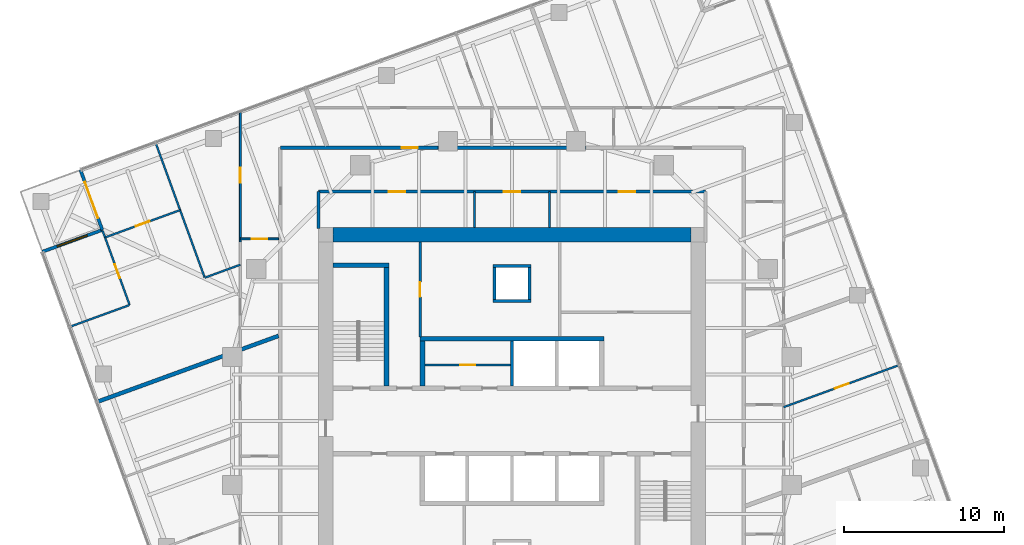
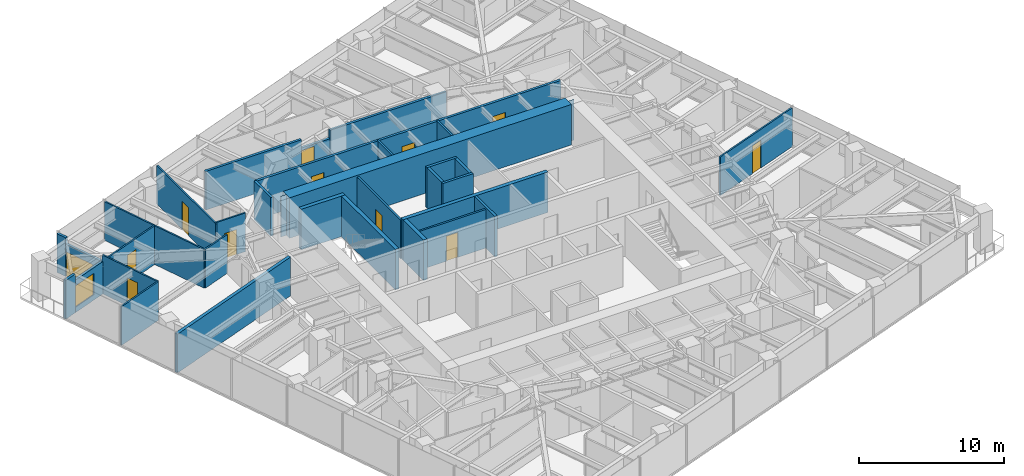
# One storey, part 10 of 13: 32 walls, 12 doors, 1 window, 13 openings.
"""IFC4 building model written with IfcOpenShell, lengths in metres."""

from ifc_helpers import new_model, si_unit, direction, frame, frame_2d, origin, place, context, subcontext, project, spatial, polyline, rectangle, outline, extrude, material, layer, layer_set, type_object, element, fill, save


model = new_model("IFC4")

# Units and contexts
model_context = context("Model", 3, precision=1e-05, world=origin(), true_north=direction((0.0, 1.0)))
body_context = subcontext(model_context, "Body", "Model", "MODEL_VIEW")
ifc_project = project(units=[si_unit("LENGTHUNIT", "METRE"), si_unit("AREAUNIT", "SQUARE_METRE"), si_unit("VOLUMEUNIT", "CUBIC_METRE"), si_unit("PLANEANGLEUNIT", "RADIAN"), si_unit("MASSUNIT", "GRAM", prefix="KILO")], contexts=[model_context])

# Site, building, storey
site_placement = place(None, origin())
site = spatial("IfcSite", under=ifc_project, at=site_placement, CompositionType="ELEMENT")
building_placement = place(site_placement, origin())
building = spatial("IfcBuilding", under=site, at=building_placement, Name="Torsade Residences", CompositionType="ELEMENT")
storey_placement = place(building_placement, frame((0.0, 0.0, 160.800048828125)))
storey = spatial("IfcBuildingStorey", under=building, at=storey_placement, Name="L44", CompositionType="ELEMENT", Elevation=160.800048828125)

# Walls
ifc_material_1 = material(Name="Concrete 80 MPa", Category="concrete")
ifc_layer_1 = layer(ifc_material_1, 0.300048828125)
ifc_layer_set_1 = layer_set([ifc_layer_1], Name="Concrete 80 MPa")
wall_type_1 = type_object("IfcWallType", Name="CORE INTERNAL WALL 300", PredefinedType="SHEAR", material=ifc_layer_set_1)
wall_1_placement = place(storey_placement, frame((34.25, 35.14990234375, 0.0), z_axis=(0.0, 0.0, 1.0), x_axis=(1.0, 0.0, 0.0)))
element("IfcWall", 1, at=wall_1_placement, inside=storey, type_object=wall_type_1, Name="Core wall BN L44", PredefinedType="SHEAR", context=body_context, shape_type="SweptSolid", body=[
    extrude(rectangle(XDim=11.5, YDim=0.300048828125, at=frame_2d((5.75, 0.0))), origin(), (0.0, 0.0, 1.0), 3.39990234375),
])
wall_2_placement = place(storey_placement, frame((34.39990234375, 32.199951171875, 0.0), z_axis=(0.0, 0.0, 1.0), x_axis=(0.0, 1.0, 0.0)))
element("IfcWall", 2, at=wall_2_placement, inside=storey, type_object=wall_type_1, Name="Core wall DN0 L44", PredefinedType="SHEAR", context=body_context, shape_type="SweptSolid", body=[
    extrude(rectangle(XDim=2.800048828125, YDim=0.300048828125, at=frame_2d((1.39990234375, 0.0))), origin(), (0.0, 0.0, 1.0), 3.39990234375),
])
wall_3_placement = place(storey_placement, frame((32.14990234375, 32.199951171875, 0.0), z_axis=(0.0, 0.0, 1.0), x_axis=(0.0, 1.0, 0.0)))
element("IfcWall", 3, at=wall_3_placement, inside=storey, type_object=wall_type_1, Name="Core wall ST1E L44", PredefinedType="SHEAR", context=body_context, shape_type="SweptSolid", body=[
    extrude(rectangle(XDim=7.699951171875, YDim=0.300048828125, at=frame_2d((3.85009765625, 0.0))), origin(), (0.0, 0.0, 1.0), 3.39990234375),
])
wall_4_placement = place(storey_placement, frame((28.800048828125, 39.75, 0.0), z_axis=(0.0, 0.0, 1.0), x_axis=(1.0, 0.0, 0.0)))
element("IfcWall", 4, at=wall_4_placement, inside=storey, type_object=wall_type_1, Name="Core wall ST1N L44", PredefinedType="SHEAR", context=body_context, shape_type="SweptSolid", body=[
    extrude(rectangle(XDim=3.5, YDim=0.300048828125, at=frame_2d((1.75, 0.0))), origin(), (0.0, 0.0, 1.0), 3.39990234375),
])
ifc_material_2 = material(Name="Concrete 80 MPa", Category="concrete")
ifc_layer_2 = layer(ifc_material_2, 0.89990234375)
ifc_layer_set_2 = layer_set([ifc_layer_2], Name="Concrete 80 MPa")
wall_type_2 = type_object("IfcWallType", Name="CORE WALL 900", PredefinedType="SHEAR", material=ifc_layer_set_2)
wall_5_placement = place(storey_placement, frame((28.800048828125, 41.64990234375, 0.0), z_axis=(0.0, 0.0, 1.0), x_axis=(1.0, 0.0, 0.0)))
element("IfcWall", 5, at=wall_5_placement, inside=storey, type_object=wall_type_2, Name="Core wall N L44", PredefinedType="SHEAR", context=body_context, shape_type="SweptSolid", body=[
    extrude(outline(polyline([(0.0, -0.449951171875), (22.39990234375, -0.449951171875), (22.39990234375, -0.02490234375), (22.849853515625, -0.02490234375), (22.849853515625, 0.02490234375), (22.39990234375, 0.02490234375), (22.39990234375, 0.449951171875), (0.0, 0.449951171875), (0.0, 0.02490234375), (-0.449951171875, 0.02490234375), (-0.449951171875, -0.02490234375), (0.0, -0.02490234375), (0.0, -0.449951171875)])), origin(), (0.0, 0.0, 1.0), 3.39990234375),
])
ifc_material_3 = material(Name="Plasterboard on steel stud", Category="steel")
ifc_layer_3 = layer(ifc_material_3, 0.199951171875)
ifc_layer_set_3 = layer_set([ifc_layer_3], Name="Plasterboard on steel stud")
wall_type_3 = type_object("IfcWallType", Name="CORRIDOR WALL 200", PredefinedType="PARTITIONING", material=ifc_layer_set_3)
wall_6_placement = place(storey_placement, frame((44.625, 47.10009765625, 0.0), z_axis=(0.0, 0.0, 1.0), x_axis=(-1.0, 0.0, 0.0)))
element("IfcWall", 6, at=wall_6_placement, inside=storey, type_object=wall_type_3, Name="Corridor wall L44", PredefinedType="PARTITIONING", context=body_context, shape_type="SweptSolid", body=[
    extrude(rectangle(XDim=9.25, YDim=0.199951171875, at=frame_2d((4.625, 0.0))), origin(), (0.0, 0.0, 1.0), 3.25),
])

# Wall, opening, door
wall_7_placement = place(storey_placement, frame((35.375, 47.10009765625, 0.0), z_axis=(0.0, 0.0, 1.0), x_axis=(-1.0, 0.0, 0.0)))
wall_7 = element("IfcWall", 7, at=wall_7_placement, inside=storey, type_object=wall_type_3, Name="Corridor wall L44", PredefinedType="PARTITIONING", context=body_context, shape_type="SweptSolid", body=[
    extrude(rectangle(XDim=2.276611328125, YDim=0.199951171875, at=frame_2d((1.13818359375, 0.0))), origin(), (0.0, 0.0, 1.0), 2.550048828125),
])
opening_1_placement = place(wall_7_placement, frame((1.256591796875, 0.0, 0.0)))
opening_1 = element("IfcOpeningElement", 8, at=opening_1_placement, cuts=wall_7, Name="Opening D01", PredefinedType="OPENING", context=body_context, shape_type="SweptSolid", body=[
    extrude(rectangle(XDim=1.02001953125, YDim=2.340087890625, at=frame_2d((0.510009765625, 1.169921875))), frame((0.0, 0.10986328125, 0.0), z_axis=(0.0, -1.0, 0.0), x_axis=(1.0, 0.0, 0.0)), (0.0, 0.0, 1.0), 0.219970703125),
])
ifc_material_4 = material(Name="Solid-core timber fire door", Category="wood")
door_type_1 = type_object("IfcDoorType", Name="APARTMENT ENTRY DOOR 1020x2340", OperationType="NOTDEFINED", PredefinedType="DOOR", material=ifc_material_4)
door_1_placement = place(opening_1_placement, origin())
door_1 = element("IfcDoor", 9, at=door_1_placement, inside=storey, type_object=door_type_1, Name="Door Residential corridor to Kitchen and dining", OperationType="SINGLE_SWING_LEFT", OverallHeight=2.340087890625, OverallWidth=1.02001953125, PredefinedType="DOOR", context=body_context, shape_type="SweptSolid", body=[
    extrude(rectangle(XDim=1.02001953125, YDim=2.340087890625, at=frame_2d((0.510009765625, 1.169921875))), frame((0.0, 0.02490234375, 0.0), z_axis=(0.0, -1.0, 0.0), x_axis=(1.0, 0.0, 0.0)), (0.0, 0.0, 1.0), 0.050048828125),
])
fill(opening_1, door_1)

# Wall
wall_8_placement = place(storey_placement, frame((33.098388671875, 47.10009765625, 0.0), z_axis=(0.0, 0.0, 1.0), x_axis=(-1.0, 0.0, 0.0)))
element("IfcWall", 10, at=wall_8_placement, inside=storey, type_object=wall_type_3, Name="Corridor wall L44", PredefinedType="PARTITIONING", context=body_context, shape_type="SweptSolid", body=[
    extrude(rectangle(XDim=7.598388671875, YDim=0.199951171875, at=frame_2d((3.79931640625, 0.0))), origin(), (0.0, 0.0, 1.0), 3.25),
])

# Wall, openings, doors
wall_9_placement = place(storey_placement, frame((52.10009765625, 44.35009765625, 0.0), z_axis=(0.0, 0.0, 1.0), x_axis=(-1.0, 0.0, 0.0)))
wall_9 = element("IfcWall", 11, at=wall_9_placement, inside=storey, type_object=wall_type_3, Name="Corridor wall L44", PredefinedType="PARTITIONING", context=body_context, shape_type="SweptSolid", body=[
    extrude(rectangle(XDim=24.2001953125, YDim=0.199951171875, at=frame_2d((12.10009765625, 0.0))), origin(), (0.0, 0.0, 1.0), 3.25),
])
opening_2_placement = place(wall_9_placement, frame((18.788818359375, 0.0, 0.0)))
opening_2 = element("IfcOpeningElement", 12, at=opening_2_placement, cuts=wall_9, Name="Opening D03", PredefinedType="OPENING", context=body_context, shape_type="SweptSolid", body=[
    extrude(rectangle(XDim=1.02001953125, YDim=2.10009765625, at=frame_2d((0.510009765625, 1.050048828125))), frame((0.0, 0.10986328125, 0.0), z_axis=(0.0, -1.0, 0.0), x_axis=(1.0, 0.0, 0.0)), (0.0, 0.0, 1.0), 0.219970703125),
])
opening_3_placement = place(wall_9_placement, frame((4.391357421875, 0.0, 0.0)))
opening_3 = element("IfcOpeningElement", 13, at=opening_3_placement, cuts=wall_9, Name="Opening D03", PredefinedType="OPENING", context=body_context, shape_type="SweptSolid", body=[
    extrude(rectangle(XDim=1.02001953125, YDim=2.10009765625, at=frame_2d((0.510009765625, 1.050048828125))), frame((0.0, 0.10986328125, 0.0), z_axis=(0.0, -1.0, 0.0), x_axis=(1.0, 0.0, 0.0)), (0.0, 0.0, 1.0), 0.219970703125),
])
opening_4_placement = place(wall_9_placement, frame((11.590087890625, 0.0, 0.0)))
opening_4 = element("IfcOpeningElement", 14, at=opening_4_placement, cuts=wall_9, Name="Opening D03", PredefinedType="OPENING", context=body_context, shape_type="SweptSolid", body=[
    extrude(rectangle(XDim=1.02001953125, YDim=2.10009765625, at=frame_2d((0.510009765625, 1.050048828125))), frame((0.0, 0.10986328125, 0.0), z_axis=(0.0, -1.0, 0.0), x_axis=(1.0, 0.0, 0.0)), (0.0, 0.0, 1.0), 0.219970703125),
])
ifc_material_5 = material(Name="Steel-framed fire door", Category="steel")
door_type_2 = type_object("IfcDoorType", Name="FIRE DOOR 1020", OperationType="NOTDEFINED", PredefinedType="DOOR", material=ifc_material_5)
door_2_placement = place(opening_2_placement, origin())
door_2 = element("IfcDoor", 15, at=door_2_placement, inside=storey, type_object=door_type_2, Name="Door Residential corridor to Residents storage", OperationType="SINGLE_SWING_RIGHT", OverallHeight=2.10009765625, OverallWidth=1.02001953125, PredefinedType="DOOR", context=body_context, shape_type="SweptSolid", body=[
    extrude(rectangle(XDim=1.02001953125, YDim=2.10009765625, at=frame_2d((0.510009765625, 1.050048828125))), frame((0.0, 0.02490234375, 0.0), z_axis=(0.0, -1.0, 0.0), x_axis=(1.0, 0.0, 0.0)), (0.0, 0.0, 1.0), 0.050048828125),
])
fill(opening_2, door_2)
door_3_placement = place(opening_3_placement, origin())
door_3 = element("IfcDoor", 16, at=door_3_placement, inside=storey, type_object=door_type_2, Name="Door Residential corridor to Parcel room", OperationType="SINGLE_SWING_LEFT", OverallHeight=2.10009765625, OverallWidth=1.02001953125, PredefinedType="DOOR", context=body_context, shape_type="SweptSolid", body=[
    extrude(rectangle(XDim=1.02001953125, YDim=2.10009765625, at=frame_2d((0.510009765625, 1.050048828125))), frame((0.0, 0.02490234375, 0.0), z_axis=(0.0, -1.0, 0.0), x_axis=(1.0, 0.0, 0.0)), (0.0, 0.0, 1.0), 0.050048828125),
])
fill(opening_3, door_3)
door_4_placement = place(opening_4_placement, origin())
door_4 = element("IfcDoor", 17, at=door_4_placement, inside=storey, type_object=door_type_2, Name="Door Residential corridor to Bulk store", OperationType="SINGLE_SWING_RIGHT", OverallHeight=2.10009765625, OverallWidth=1.02001953125, PredefinedType="DOOR", context=body_context, shape_type="SweptSolid", body=[
    extrude(rectangle(XDim=1.02001953125, YDim=2.10009765625, at=frame_2d((0.510009765625, 1.050048828125))), frame((0.0, 0.02490234375, 0.0), z_axis=(0.0, -1.0, 0.0), x_axis=(1.0, 0.0, 0.0)), (0.0, 0.0, 1.0), 0.050048828125),
])
fill(opening_4, door_4)

# Walls
wall_10_placement = place(storey_placement, frame((27.89990234375, 44.35009765625, 0.0), z_axis=(0.0, 0.0, 1.0), x_axis=(0.0, -1.0, 0.0)))
element("IfcWall", 18, at=wall_10_placement, inside=storey, type_object=wall_type_3, Name="Corridor wall L44", PredefinedType="PARTITIONING", context=body_context, shape_type="SweptSolid", body=[
    extrude(rectangle(XDim=2.300048828125, YDim=0.199951171875, at=frame_2d((1.14990234375, 0.0))), origin(), (0.0, 0.0, 1.0), 3.25),
])
ifc_material_6 = material(Name="Reinforced blockwork", Category="masonry")
ifc_layer_4 = layer(ifc_material_6, 0.199951171875)
ifc_layer_set_4 = layer_set([ifc_layer_4], Name="Reinforced blockwork")
wall_type_4 = type_object("IfcWallType", Name="LIFT SHAFT DIVIDING WALL 200", PredefinedType="SOLIDWALL", material=ifc_layer_set_4)
wall_11_placement = place(storey_placement, frame((40.0, 32.199951171875, 0.0), z_axis=(0.0, 0.0, 1.0), x_axis=(0.0, 1.0, 0.0)))
element("IfcWall", 19, at=wall_11_placement, inside=storey, type_object=wall_type_4, Name="Core wall DN2 L44", PredefinedType="SOLIDWALL", context=body_context, shape_type="SweptSolid", body=[
    extrude(rectangle(XDim=2.800048828125, YDim=0.199951171875, at=frame_2d((1.39990234375, 0.0))), origin(), (0.0, 0.0, 1.0), 3.39990234375),
])

# Wall, opening, door
ifc_material_7 = material(Name="Plasterboard on steel stud", Category="steel")
ifc_layer_5 = layer(ifc_material_7, 0.1201171875)
ifc_layer_set_5 = layer_set([ifc_layer_5], Name="Plasterboard on steel stud")
wall_type_5 = type_object("IfcWallType", Name="PARTITION 120", PredefinedType="PARTITIONING", material=ifc_layer_set_5)
wall_12_placement = place(storey_placement, frame((57.0, 30.866455078125, 0.0), z_axis=(0.0, 0.0, 1.0), x_axis=(0.939685835373, 0.342038785519, 0.0)))
wall_12 = element("IfcWall", 20, at=wall_12_placement, inside=storey, type_object=wall_type_5, Name="Partition L44", PredefinedType="PARTITIONING", context=body_context, shape_type="SweptSolid", body=[
    extrude(rectangle(XDim=7.68896484375, YDim=0.1201171875, at=frame_2d((3.844482421875, 0.0))), origin(), (0.0, 0.0, 1.0), 3.25),
])
opening_5_placement = place(wall_12_placement, frame((3.404296875, 0.0, 0.0)))
opening_5 = element("IfcOpeningElement", 21, at=opening_5_placement, cuts=wall_12, Name="Opening D02", PredefinedType="OPENING", context=body_context, shape_type="SweptSolid", body=[
    extrude(rectangle(XDim=0.919921875, YDim=2.340087890625, at=frame_2d((0.4599609375, 1.169921875))), frame((0.0, 0.070068359375, 0.0), z_axis=(0.0, -1.0, 0.0), x_axis=(1.0, 0.0, 0.0)), (0.0, 0.0, 1.0), 0.14013671875),
])
ifc_material_8 = material(Name="Hollow-core timber door", Category="wood")
door_type_3 = type_object("IfcDoorType", Name="INTERNAL DOOR 920x2340", OperationType="NOTDEFINED", PredefinedType="DOOR", material=ifc_material_8)
door_5_placement = place(opening_5_placement, origin())
door_5 = element("IfcDoor", 22, at=door_5_placement, inside=storey, type_object=door_type_3, Name="Door Living room to Bedroom 1", OperationType="SINGLE_SWING_RIGHT", OverallHeight=2.340087890625, OverallWidth=0.919921875, PredefinedType="DOOR", context=body_context, shape_type="SweptSolid", body=[
    extrude(rectangle(XDim=0.919921875, YDim=2.340087890625, at=frame_2d((0.4599609375, 1.169921875))), frame((0.0, 0.02490234375, 0.0), z_axis=(0.0, -1.0, 0.0), x_axis=(1.0, 0.0, 0.0)), (0.0, 0.0, 1.0), 0.050048828125),
])
fill(opening_5, door_5)

wall_13_placement = place(storey_placement, frame((25.39990234375, 41.389892578125, 0.0), z_axis=(0.0, 0.0, 1.0), x_axis=(-1.0, 0.0, 0.0)))
wall_13 = element("IfcWall", 23, at=wall_13_placement, inside=storey, type_object=wall_type_5, Name="Partition L44", PredefinedType="PARTITIONING", context=body_context, shape_type="SweptSolid", body=[
    extrude(rectangle(XDim=2.39990234375, YDim=0.1201171875, at=frame_2d((1.199951171875, 0.0))), origin(), (0.0, 0.0, 1.0), 3.25),
])
opening_6_placement = place(wall_13_placement, frame((0.719970703125, 0.0, 0.0)))
opening_6 = element("IfcOpeningElement", 24, at=opening_6_placement, cuts=wall_13, Name="Opening D05", PredefinedType="OPENING", context=body_context, shape_type="SweptSolid", body=[
    extrude(rectangle(XDim=0.9599609375, YDim=2.10009765625, at=frame_2d((0.47998046875, 1.050048828125))), frame((0.0, 0.070068359375, 0.0), z_axis=(0.0, -1.0, 0.0), x_axis=(1.0, 0.0, 0.0)), (0.0, 0.0, 1.0), 0.14013671875),
])
ifc_material_9 = material(Name="Hollow-core timber door in a steel cavity frame", Category="steel")
door_type_4 = type_object("IfcDoorType", Name="BATHROOM CAVITY SLIDING DOOR 960", OperationType="SLIDING_TO_LEFT", PredefinedType="DOOR", material=ifc_material_9)
door_6_placement = place(opening_6_placement, origin())
door_6 = element("IfcDoor", 25, at=door_6_placement, inside=storey, type_object=door_type_4, Name="Door Kitchen and dining to Bathroom", OperationType="SLIDING_TO_LEFT", OverallHeight=2.10009765625, OverallWidth=0.9599609375, PredefinedType="DOOR", context=body_context, shape_type="SweptSolid", body=[
    extrude(rectangle(XDim=0.9599609375, YDim=2.10009765625, at=frame_2d((0.47998046875, 1.050048828125))), frame((0.0, 0.02490234375, 0.0), z_axis=(0.0, -1.0, 0.0), x_axis=(1.0, 0.0, 0.0)), (0.0, 0.0, 1.0), 0.050048828125),
])
fill(opening_6, door_6)

# Walls
wall_14_placement = place(storey_placement, frame((17.709716796875, 47.384765625, 0.0), z_axis=(0.0, 0.0, 1.0), x_axis=(0.342034340019, -0.939687453491, 0.0)))
element("IfcWall", 26, at=wall_14_placement, inside=storey, type_object=wall_type_5, Name="Partition L44", PredefinedType="PARTITIONING", context=body_context, shape_type="SweptSolid", body=[
    extrude(rectangle(XDim=8.9501953125, YDim=0.1201171875, at=frame_2d((4.47509765625, 0.0))), origin(), (0.0, 0.0, 1.0), 3.25),
])
wall_15_placement = place(storey_placement, frame((20.78369140625, 38.968505859375, 0.0), z_axis=(0.0, 0.0, 1.0), x_axis=(0.939696672396, 0.342009011412, 0.0)))
element("IfcWall", 27, at=wall_15_placement, inside=storey, type_object=wall_type_5, Name="Partition L44", PredefinedType="PARTITIONING", context=body_context, shape_type="SweptSolid", body=[
    extrude(rectangle(XDim=2.358642578125, YDim=0.1201171875, at=frame_2d((1.17919921875, 0.0))), origin(), (0.0, 0.0, 1.0), 3.25),
])

# Wall, opening, door
wall_16_placement = place(storey_placement, frame((14.536865234375, 41.483642578125, 0.0), z_axis=(0.0, 0.0, 1.0), x_axis=(0.939696437289, 0.342009657388, 0.0)))
wall_16 = element("IfcWall", 28, at=wall_16_placement, inside=storey, type_object=wall_type_5, Name="Partition L44", PredefinedType="PARTITIONING", context=body_context, shape_type="SweptSolid", body=[
    extrude(rectangle(XDim=4.999755859375, YDim=0.1201171875, at=frame_2d((2.5, 0.0))), origin(), (0.0, 0.0, 1.0), 3.25),
])
opening_7_placement = place(wall_16_placement, frame((2.039794921875, 0.0, 0.0)))
opening_7 = element("IfcOpeningElement", 29, at=opening_7_placement, cuts=wall_16, Name="Opening D02", PredefinedType="OPENING", context=body_context, shape_type="SweptSolid", body=[
    extrude(rectangle(XDim=0.919921875, YDim=2.340087890625, at=frame_2d((0.4599609375, 1.169921875))), frame((0.0, 0.070068359375, 0.0), z_axis=(0.0, -1.0, 0.0), x_axis=(1.0, 0.0, 0.0)), (0.0, 0.0, 1.0), 0.14013671875),
])
door_7_placement = place(opening_7_placement, origin())
door_7 = element("IfcDoor", 30, at=door_7_placement, inside=storey, type_object=door_type_3, Name="Door Living room to Bedroom 2", OperationType="SINGLE_SWING_RIGHT", OverallHeight=2.340087890625, OverallWidth=0.919921875, PredefinedType="DOOR", context=body_context, shape_type="SweptSolid", body=[
    extrude(rectangle(XDim=0.919921875, YDim=2.340087890625, at=frame_2d((0.4599609375, 1.169921875))), frame((0.0, 0.02490234375, 0.0), z_axis=(0.0, -1.0, 0.0), x_axis=(1.0, 0.0, 0.0)), (0.0, 0.0, 1.0), 0.050048828125),
])
fill(opening_7, door_7)

# Wall
wall_17_placement = place(storey_placement, frame((12.354736328125, 35.900634765625, 0.0), z_axis=(0.0, 0.0, 1.0), x_axis=(0.939701350773, 0.341996156931, 0.0)))
element("IfcWall", 31, at=wall_17_placement, inside=storey, type_object=wall_type_5, Name="Partition L44", PredefinedType="PARTITIONING", context=body_context, shape_type="SweptSolid", body=[
    extrude(rectangle(XDim=3.949951171875, YDim=0.1201171875, at=frame_2d((1.97509765625, 0.0))), origin(), (0.0, 0.0, 1.0), 3.25),
])

# Wall, opening, door
wall_18_placement = place(storey_placement, frame((16.072509765625, 37.264404296875, 0.0), z_axis=(0.0, 0.0, 1.0), x_axis=(-0.34204797738, 0.939682489552, 0.0)))
wall_18 = element("IfcWall", 32, at=wall_18_placement, inside=storey, type_object=wall_type_5, Name="Partition L44", PredefinedType="PARTITIONING", context=body_context, shape_type="SweptSolid", body=[
    extrude(rectangle(XDim=4.949951171875, YDim=0.1201171875, at=frame_2d((2.47509765625, 0.0))), origin(), (0.0, 0.0, 1.0), 3.25),
])
opening_8_placement = place(wall_18_placement, frame((1.784912109375, 0.0, 0.0)))
opening_8 = element("IfcOpeningElement", 33, at=opening_8_placement, cuts=wall_18, Name="Opening D02", PredefinedType="OPENING", context=body_context, shape_type="SweptSolid", body=[
    extrude(rectangle(XDim=0.919921875, YDim=2.340087890625, at=frame_2d((0.4599609375, 1.169921875))), frame((0.0, 0.070068359375, 0.0), z_axis=(0.0, -1.0, 0.0), x_axis=(1.0, 0.0, 0.0)), (0.0, 0.0, 1.0), 0.14013671875),
])
door_8_placement = place(opening_8_placement, origin())
door_8 = element("IfcDoor", 34, at=door_8_placement, inside=storey, type_object=door_type_3, Name="Door Living room to Bedroom 3", OperationType="SINGLE_SWING_LEFT", OverallHeight=2.340087890625, OverallWidth=0.919921875, PredefinedType="DOOR", context=body_context, shape_type="SweptSolid", body=[
    extrude(rectangle(XDim=0.919921875, YDim=2.340087890625, at=frame_2d((0.4599609375, 1.169921875))), frame((0.0, 0.02490234375, 0.0), z_axis=(0.0, -1.0, 0.0), x_axis=(1.0, 0.0, 0.0)), (0.0, 0.0, 1.0), 0.050048828125),
])
fill(opening_8, door_8)

wall_19_placement = place(storey_placement, frame((23.0, 41.212158203125, 0.0), z_axis=(0.0, 0.0, 1.0), x_axis=(0.0, 1.0, 0.0)))
wall_19 = element("IfcWall", 35, at=wall_19_placement, inside=storey, type_object=wall_type_5, Name="Partition L44", PredefinedType="PARTITIONING", context=body_context, shape_type="SweptSolid", body=[
    extrude(rectangle(XDim=8.09814453125, YDim=0.1201171875, at=frame_2d((4.049072265625, 0.0))), origin(), (0.0, 0.0, 1.0), 3.25),
])
opening_9_placement = place(wall_19_placement, frame((3.69921875, 0.0, 0.0)))
opening_9 = element("IfcOpeningElement", 36, at=opening_9_placement, cuts=wall_19, Name="Opening D02", PredefinedType="OPENING", context=body_context, shape_type="SweptSolid", body=[
    extrude(rectangle(XDim=0.919921875, YDim=2.340087890625, at=frame_2d((0.4599609375, 1.169921875))), frame((0.0, 0.070068359375, 0.0), z_axis=(0.0, -1.0, 0.0), x_axis=(1.0, 0.0, 0.0)), (0.0, 0.0, 1.0), 0.14013671875),
])
door_9_placement = place(opening_9_placement, origin())
door_9 = element("IfcDoor", 37, at=door_9_placement, inside=storey, type_object=door_type_3, Name="Door Kitchen and dining to Bedroom 1", OperationType="SINGLE_SWING_LEFT", OverallHeight=2.340087890625, OverallWidth=0.919921875, PredefinedType="DOOR", context=body_context, shape_type="SweptSolid", body=[
    extrude(rectangle(XDim=0.919921875, YDim=2.340087890625, at=frame_2d((0.4599609375, 1.169921875))), frame((0.0, 0.02490234375, 0.0), z_axis=(0.0, -1.0, 0.0), x_axis=(1.0, 0.0, 0.0)), (0.0, 0.0, 1.0), 0.050048828125),
])
fill(opening_9, door_9)

# Walls
ifc_material_10 = material(Name="Masonry-lined stud party wall", Category="masonry")
ifc_layer_6 = layer(ifc_material_10, 0.25)
ifc_layer_set_6 = layer_set([ifc_layer_6], Name="Masonry-lined stud party wall")
wall_type_6 = type_object("IfcWallType", Name="PARTY WALL 250", PredefinedType="PARTITIONING", material=ifc_layer_set_6)
wall_20_placement = place(storey_placement, frame((14.027099609375, 31.1884765625, 0.0), z_axis=(0.0, 0.0, 1.0), x_axis=(0.939693801585, 0.342016899091, 0.0)))
element("IfcWall", 38, at=wall_20_placement, inside=storey, type_object=wall_type_6, Name="Party wall L44", PredefinedType="PARTITIONING", context=body_context, shape_type="SweptSolid", body=[
    extrude(rectangle(XDim=12.09716796875, YDim=0.25, at=frame_2d((6.048583984375, 0.0))), origin(), (0.0, 0.0, 1.0), 3.25),
])
ifc_material_11 = material(Name="Reinforced blockwork", Category="masonry")
ifc_layer_7 = layer(ifc_material_11, 0.199951171875)
ifc_layer_set_7 = layer_set([ifc_layer_7], Name="Reinforced blockwork")
wall_type_7 = type_object("IfcWallType", Name="RISER SHAFT WALL 200", PredefinedType="SOLIDWALL", material=ifc_layer_set_7)
for number, where, z_axis, x_axis, name in (
    (39, (38.89990234375, 37.60009765625, 0.0), (0.0, 0.0, 1.0), (0.0, 1.0, 0.0), "Core wall RS1a L44"),
    (40, (41.10009765625, 37.60009765625, 0.0), (0.0, 0.0, 1.0), (0.0, 1.0, 0.0), "Core wall RS1b L44"),
):
    element("IfcWall", number, at=place(storey_placement, frame(where, z_axis=z_axis, x_axis=x_axis)), inside=storey, type_object=wall_type_7, Name=name, PredefinedType="SOLIDWALL", context=body_context, shape_type="SweptSolid", body=[
        extrude(rectangle(XDim=2.0, YDim=0.199951171875, at=frame_2d((1.0, 0.0))), origin(), (0.0, 0.0, 1.0), 3.39990234375),
    ])
for number, where, z_axis, x_axis, name in (
    (41, (38.800048828125, 37.5, 0.0), (0.0, 0.0, 1.0), (1.0, 0.0, 0.0), "Core wall RS1c L44"),
    (42, (38.800048828125, 39.699951171875, 0.0), (0.0, 0.0, 1.0), (1.0, 0.0, 0.0), "Core wall RS1d L44"),
):
    element("IfcWall", number, at=place(storey_placement, frame(where, z_axis=z_axis, x_axis=x_axis)), inside=storey, type_object=wall_type_7, Name=name, PredefinedType="SOLIDWALL", context=body_context, shape_type="SweptSolid", body=[
        extrude(rectangle(XDim=2.39990234375, YDim=0.199951171875, at=frame_2d((1.199951171875, 0.0))), origin(), (0.0, 0.0, 1.0), 3.39990234375),
    ])

# Wall, opening, door
ifc_material_12 = material(Name="Reinforced blockwork", Category="masonry")
ifc_layer_8 = layer(ifc_material_12, 0.14990234375)
ifc_layer_set_8 = layer_set([ifc_layer_8], Name="Reinforced blockwork")
wall_type_8 = type_object("IfcWallType", Name="SERVICE ROOM WALL 150", PredefinedType="SOLIDWALL", material=ifc_layer_set_8)
wall_21_placement = place(storey_placement, frame((34.25, 41.199951171875, 0.0), z_axis=(0.0, 0.0, 1.0), x_axis=(0.0, -1.0, 0.0)))
wall_21 = element("IfcWall", 43, at=wall_21_placement, inside=storey, type_object=wall_type_8, Name="Service room wall L44", PredefinedType="SOLIDWALL", context=body_context, shape_type="SweptSolid", body=[
    extrude(rectangle(XDim=5.949951171875, YDim=0.14990234375, at=frame_2d((2.97509765625, 0.0))), origin(), (0.0, 0.0, 1.0), 3.25),
])
opening_10_placement = place(wall_21_placement, frame((2.514892578125, 0.0, 0.0)))
opening_10 = element("IfcOpeningElement", 44, at=opening_10_placement, cuts=wall_21, Name="Opening D06", PredefinedType="OPENING", context=body_context, shape_type="SweptSolid", body=[
    extrude(rectangle(XDim=0.919921875, YDim=2.10009765625, at=frame_2d((0.4599609375, 1.050048828125))), frame((0.0, 0.0849609375, 0.0), z_axis=(0.0, -1.0, 0.0), x_axis=(1.0, 0.0, 0.0)), (0.0, 0.0, 1.0), 0.169921875),
])
ifc_material_13 = material(Name="Steel-framed fire door", Category="steel")
door_type_5 = type_object("IfcDoorType", Name="FIRE DOOR 920", OperationType="NOTDEFINED", PredefinedType="DOOR", material=ifc_material_13)
door_10_placement = place(opening_10_placement, origin())
door_10 = element("IfcDoor", 45, at=door_10_placement, inside=storey, type_object=door_type_5, Name="Door Main switchboard store to Electrical riser room", OperationType="SINGLE_SWING_LEFT", OverallHeight=2.10009765625, OverallWidth=0.919921875, PredefinedType="DOOR", context=body_context, shape_type="SweptSolid", body=[
    extrude(rectangle(XDim=0.919921875, YDim=2.10009765625, at=frame_2d((0.4599609375, 1.050048828125))), frame((0.0, 0.02490234375, 0.0), z_axis=(0.0, -1.0, 0.0), x_axis=(1.0, 0.0, 0.0)), (0.0, 0.0, 1.0), 0.050048828125),
])
fill(opening_10, door_10)

# Walls
for number, where, z_axis, x_axis, name in (
    (46, (37.652587890625, 42.10009765625, 0.0), (0.0, 0.0, 1.0), (0.0, 1.0, 0.0), "Service room wall L44"),
    (47, (42.347412109375, 42.10009765625, 0.0), (0.0, 0.0, 1.0), (0.0, 1.0, 0.0), "Service room wall L44"),
):
    element("IfcWall", number, at=place(storey_placement, frame(where, z_axis=z_axis, x_axis=x_axis)), inside=storey, type_object=wall_type_8, Name=name, PredefinedType="SOLIDWALL", context=body_context, shape_type="SweptSolid", body=[
        extrude(rectangle(XDim=2.25, YDim=0.14990234375, at=frame_2d((1.125, 0.0))), origin(), (0.0, 0.0, 1.0), 3.25),
    ])

# Wall, opening, door
wall_22_placement = place(storey_placement, frame((34.550048828125, 33.5, 0.0), z_axis=(0.0, 0.0, 1.0), x_axis=(1.0, 0.0, 0.0)))
wall_22 = element("IfcWall", 48, at=wall_22_placement, inside=storey, type_object=wall_type_8, Name="Service room wall L44", PredefinedType="SOLIDWALL", context=body_context, shape_type="SweptSolid", body=[
    extrude(rectangle(XDim=5.349853515625, YDim=0.14990234375, at=frame_2d((2.6748046875, 0.0))), origin(), (0.0, 0.0, 1.0), 3.25),
])
opening_11_placement = place(wall_22_placement, frame((2.215087890625, 0.0, 0.0)))
opening_11 = element("IfcOpeningElement", 49, at=opening_11_placement, cuts=wall_22, Name="Opening D06", PredefinedType="OPENING", context=body_context, shape_type="SweptSolid", body=[
    extrude(rectangle(XDim=0.919921875, YDim=2.10009765625, at=frame_2d((0.4599609375, 1.050048828125))), frame((0.0, 0.0849609375, 0.0), z_axis=(0.0, -1.0, 0.0), x_axis=(1.0, 0.0, 0.0)), (0.0, 0.0, 1.0), 0.169921875),
])
door_11_placement = place(opening_11_placement, origin())
door_11 = element("IfcDoor", 50, at=door_11_placement, inside=storey, type_object=door_type_5, Name="Door Communications room L44A to Records store L44B", OperationType="SINGLE_SWING_RIGHT", OverallHeight=2.10009765625, OverallWidth=0.919921875, PredefinedType="DOOR", context=body_context, shape_type="SweptSolid", body=[
    extrude(rectangle(XDim=0.919921875, YDim=2.10009765625, at=frame_2d((0.4599609375, 1.050048828125))), frame((0.0, 0.02490234375, 0.0), z_axis=(0.0, -1.0, 0.0), x_axis=(1.0, 0.0, 0.0)), (0.0, 0.0, 1.0), 0.050048828125),
])
fill(opening_11, door_11)

# Wall
ifc_material_14 = material(Name="Stone-faced precast concrete 40 MPa panel", Category="masonry")
ifc_layer_9 = layer(ifc_material_14, 0.199951171875)
ifc_layer_set_9 = layer_set([ifc_layer_9], Name="Stone-faced precast concrete 40 MPa panel")
wall_type_9 = type_object("IfcWallType", Name="TERRACE WALL 200", PredefinedType="SOLIDWALL", material=ifc_layer_set_9)
wall_23_placement = place(storey_placement, frame((12.99755859375, 45.712158203125, 0.0), z_axis=(0.0, 0.0, 1.0), x_axis=(0.342110593602, -0.939659694648, 0.0)))
element("IfcWall", 51, at=wall_23_placement, inside=storey, type_object=wall_type_9, Name="Terrace wall L44 8", PredefinedType="SOLIDWALL", context=body_context, shape_type="SweptSolid", body=[
    extrude(rectangle(XDim=0.800048828125, YDim=0.199951171875, at=frame_2d((0.39990234375, 0.0))), origin(), (0.0, 0.0, 1.0), 3.25),
])

# Wall, opening, door
wall_24_placement = place(storey_placement, frame((13.271240234375, 44.96044921875, 0.0), z_axis=(0.0, 0.0, 1.0), x_axis=(0.342018703306, -0.939693144909, 0.0)))
wall_24 = element("IfcWall", 52, at=wall_24_placement, inside=storey, type_object=wall_type_9, Name="Terrace wall L44 8", PredefinedType="SOLIDWALL", context=body_context, shape_type="SweptSolid", body=[
    extrude(rectangle(XDim=3.199951171875, YDim=0.199951171875, at=frame_2d((1.60009765625, 0.0))), origin(), (0.0, 0.0, 1.0), 2.721923828125),
])
opening_12_placement = place(wall_24_placement, origin())
opening_12 = element("IfcOpeningElement", 53, at=opening_12_placement, cuts=wall_24, Name="Opening D10A", PredefinedType="OPENING", context=body_context, shape_type="SweptSolid", body=[
    extrude(rectangle(XDim=2.39990234375, YDim=2.10009765625, at=frame_2d((1.199951171875, 1.050048828125))), frame((0.0, 0.10986328125, 0.0), z_axis=(0.0, -1.0, 0.0), x_axis=(1.0, 0.0, 0.0)), (0.0, 0.0, 1.0), 0.219970703125),
])
ifc_material_15 = material(Name="Aluminium-framed glass door", Category="aluminium")
door_type_6 = type_object("IfcDoorType", Name="TERRACE SLIDING DOOR 2400x2100", OperationType="SLIDING_TO_LEFT", PredefinedType="DOOR", material=ifc_material_15)
door_12_placement = place(opening_12_placement, origin())
door_12 = element("IfcDoor", 54, at=door_12_placement, inside=storey, type_object=door_type_6, Name="Terrace door L44 8", OperationType="SLIDING_TO_LEFT", OverallHeight=2.10009765625, OverallWidth=2.39990234375, PredefinedType="DOOR", context=body_context, shape_type="SweptSolid", body=[
    extrude(rectangle(XDim=2.39990234375, YDim=2.10009765625, at=frame_2d((1.199951171875, 1.050048828125))), frame((0.0, 0.02490234375, 0.0), z_axis=(0.0, -1.0, 0.0), x_axis=(1.0, 0.0, 0.0)), (0.0, 0.0, 1.0), 0.050048828125),
])
fill(opening_12, door_12)

# Wall, opening, window
wall_25_placement = place(storey_placement, frame((14.36572265625, 41.953369140625, 0.0), z_axis=(0.0, 0.0, 1.0), x_axis=(-0.939712609717, -0.341965219194, 0.0)))
wall_25 = element("IfcWall", 55, at=wall_25_placement, inside=storey, type_object=wall_type_9, Name="Terrace wall L44 9", PredefinedType="SOLIDWALL", context=body_context, shape_type="SweptSolid", body=[
    extrude(rectangle(XDim=3.0, YDim=0.199951171875, at=frame_2d((1.5, 0.0))), origin(), (0.0, 0.0, 1.0), 2.721923828125),
])
opening_13_placement = place(wall_25_placement, frame((1.0, 0.0, 0.449951171875)))
opening_13 = element("IfcOpeningElement", 56, at=opening_13_placement, cuts=wall_25, Name="Opening W1B", PredefinedType="OPENING", context=body_context, shape_type="SweptSolid", body=[
    extrude(rectangle(XDim=2.0, YDim=1.800048828125, at=frame_2d((1.0, 0.89990234375))), frame((0.0, 0.10986328125, 0.0), z_axis=(0.0, -1.0, 0.0), x_axis=(1.0, 0.0, 0.0)), (0.0, 0.0, 1.0), 0.219970703125),
])
ifc_material_16 = material(Name="Aluminium-framed glass window", Category="aluminium")
window_type = type_object("IfcWindowType", Name="TERRACE WINDOW 2000x1800", PartitioningType="SINGLE_PANEL", PredefinedType="WINDOW", material=ifc_material_16)
window_placement = place(opening_13_placement, origin())
window = element("IfcWindow", 57, at=window_placement, inside=storey, type_object=window_type, Name="Terrace window L44 9", OverallHeight=1.800048828125, OverallWidth=2.0, PartitioningType="SINGLE_PANEL", PredefinedType="WINDOW", context=body_context, shape_type="SweptSolid", body=[
    extrude(rectangle(XDim=2.0, YDim=1.800048828125, at=frame_2d((1.0, 0.89990234375))), frame((0.0, 0.030029296875, 0.0), z_axis=(0.0, -1.0, 0.0), x_axis=(1.0, 0.0, 0.0)), (0.0, 0.0, 1.0), 0.06005859375),
])
fill(opening_13, window)

# Wall
wall_26_placement = place(storey_placement, frame((11.546630859375, 40.927490234375, 0.0), z_axis=(0.0, 0.0, 1.0), x_axis=(-0.939686455819, -0.342037080957, 0.0)))
element("IfcWall", 58, at=wall_26_placement, inside=storey, type_object=wall_type_9, Name="Terrace wall L44 9", PredefinedType="SOLIDWALL", context=body_context, shape_type="SweptSolid", body=[
    extrude(rectangle(XDim=1.0, YDim=0.199951171875, at=frame_2d((0.5, 0.0))), origin(), (0.0, 0.0, 1.0), 3.25),
])

save(model, "model.ifc")
